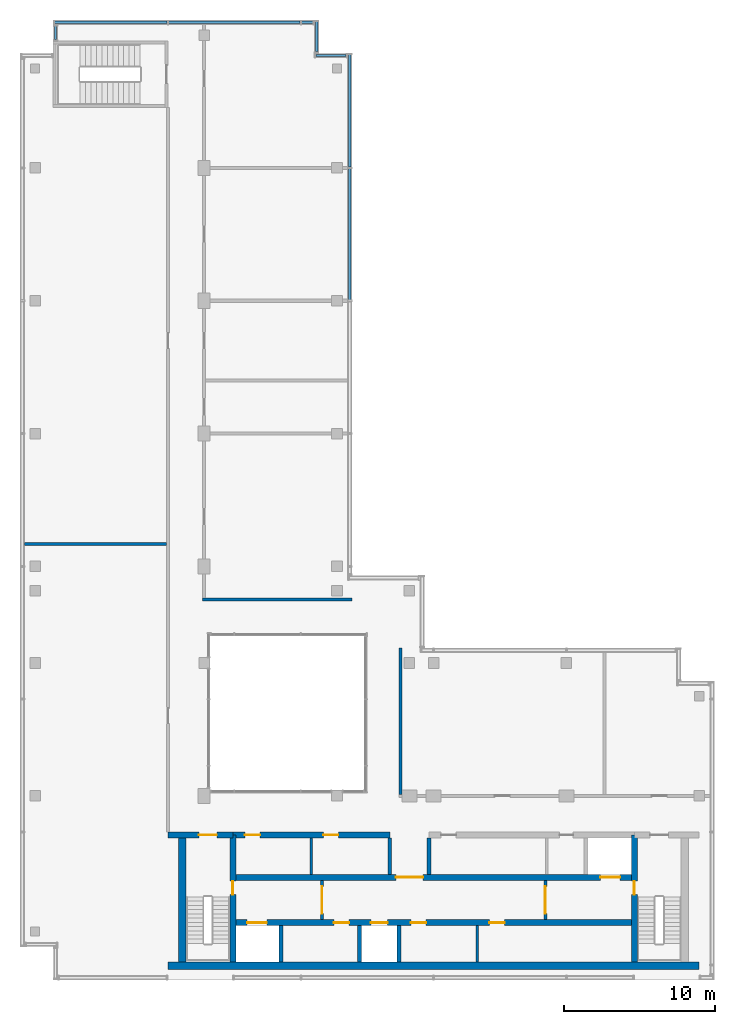
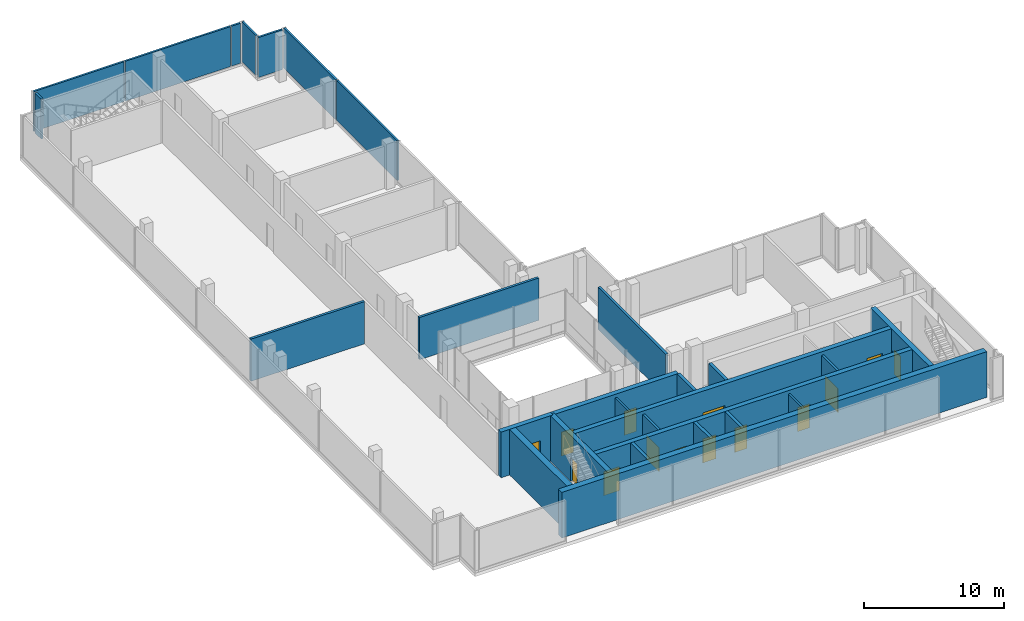
# One storey, part 8 of 10: 20 walls, 14 doors, 8 plates, 14 openings, 5 elements without a shape of their own.
"""IFC4 building model written with IfcOpenShell, lengths in metres."""

from ifc_helpers import new_model, si_unit, direction, frame, frame_2d, origin, origin_2d, place, context, subcontext, project, spatial, rectangle, extrude, source, transform, mapped, material, layer, layer_set, type_object, element, fill, aggregate, save


model = new_model("IFC4")

# Units and contexts
model_context = context("Model", 3, precision=1e-05, world=origin(), true_north=direction((0.0, 1.0)))
body_context = subcontext(model_context, "Body", "Model", "MODEL_VIEW")
ifc_project = project(units=[si_unit("LENGTHUNIT", "METRE"), si_unit("AREAUNIT", "SQUARE_METRE"), si_unit("VOLUMEUNIT", "CUBIC_METRE"), si_unit("PLANEANGLEUNIT", "RADIAN"), si_unit("MASSUNIT", "GRAM", prefix="KILO")], contexts=[model_context])

# Site, building, storey
site_placement = place(None, origin())
site = spatial("IfcSite", under=ifc_project, at=site_placement, CompositionType="ELEMENT")
building_placement = place(site_placement, origin())
building = spatial("IfcBuilding", under=site, at=building_placement, Name="Kemantara Hotel Tower", CompositionType="ELEMENT")
storey_placement = place(building_placement, frame((0.0, 0.0, 318.199951171875)))
storey = spatial("IfcBuildingStorey", under=building, at=storey_placement, Name="L80", CompositionType="ELEMENT", Elevation=318.199951171875)

# Curtain wall, plates
ifc_material_1 = material(Name="Aluminium 6063-T6 bronze anodised", Category="aluminium")
curtain_wall_type = type_object("IfcCurtainWallType", Name="CROWN LOUVRE SCREEN WALL", PredefinedType="USERDEFINED", material=ifc_material_1)
curtain_wall_1_placement = place(storey_placement, origin())
curtain_wall_1 = element("IfcCurtainWall", 1, at=curtain_wall_1_placement, inside=storey, type_object=curtain_wall_type, Name="CW7 L80 CRN-R02-1", ObjectType="CROWN LOUVRE SCREEN WALL", PredefinedType="USERDEFINED")
ifc_material_2 = material(Name="Bronze anodised aluminium louvre blades 3 mm", Category="aluminium")
ifc_layer_1 = layer(ifc_material_2, 0.159912109375)
ifc_layer_set_1 = layer_set([ifc_layer_1], Name="Bronze anodised aluminium louvre blades 3 mm")
plate_type = type_object("IfcPlateType", Name="CROWN LOUVRE SCREEN WALL PANEL", PredefinedType="CURTAIN_PANEL", material=ifc_layer_set_1)
shared_shape_1 = source(origin(), body_context, "Body", "SweptSolid", [
    extrude(rectangle(XDim=0.75, YDim=0.159912109375, at=origin_2d()), origin(), (0.0, 0.0, 1.0), 3.5),
])
plate_1_placement = place(storey_placement, frame((19.02490234375, 63.449951171875, 0.199951171875), z_axis=(0.0, 0.0, 1.0), x_axis=(-1.0, 0.0, 0.0)))
plate_1 = element("IfcPlate", 2, at=plate_1_placement, type_object=plate_type, Name="CW7 louvre panel CRN-R02-1.1", PredefinedType="CURTAIN_PANEL", context=body_context, shape_type="MappedRepresentation", body=[
    mapped(shared_shape_1, transform((0.0, 0.0, 0.0))),
])
shared_shape_2 = source(origin(), body_context, "Body", "SweptSolid", [
    extrude(rectangle(XDim=8.699951171875, YDim=0.159912109375, at=origin_2d()), origin(), (0.0, 0.0, 1.0), 3.5),
])
plate_2_placement = place(storey_placement, frame((14.199951171875, 63.449951171875, 0.199951171875), z_axis=(0.0, 0.0, 1.0), x_axis=(-1.0, 0.0, 0.0)))
plate_2 = element("IfcPlate", 3, at=plate_2_placement, type_object=plate_type, Name="CW7 louvre panel CRN-R02-1.2", PredefinedType="CURTAIN_PANEL", context=body_context, shape_type="MappedRepresentation", body=[
    mapped(shared_shape_2, transform((0.0, 0.0, 0.0))),
])

# Curtain wall, plate
curtain_wall_2_placement = place(storey_placement, origin())
curtain_wall_2 = element("IfcCurtainWall", 4, at=curtain_wall_2_placement, inside=storey, type_object=curtain_wall_type, Name="CW7 L80 CRN-R15-1", ObjectType="CROWN LOUVRE SCREEN WALL", PredefinedType="USERDEFINED")
plate_3_placement = place(storey_placement, frame((21.85009765625, 49.39990234375, 0.199951171875), z_axis=(0.0, 0.0, 1.0), x_axis=(0.0, 1.0, 0.0)))
plate_3 = element("IfcPlate", 5, at=plate_3_placement, type_object=plate_type, Name="CW7 louvre panel CRN-R15-1.4", PredefinedType="CURTAIN_PANEL", context=body_context, shape_type="MappedRepresentation", body=[
    mapped(shared_shape_2, transform((0.0, 0.0, 0.0))),
])

# Plate
shared_shape_3 = source(origin(), body_context, "Body", "SweptSolid", [
    extrude(rectangle(XDim=7.449951171875, YDim=0.159912109375, at=origin_2d()), origin(), (0.0, 0.0, 1.0), 3.5),
])
plate_4_placement = place(storey_placement, frame((6.02490234375, 63.449951171875, 0.199951171875), z_axis=(0.0, 0.0, 1.0), x_axis=(-1.0, 0.0, 0.0)))
plate_4 = element("IfcPlate", 6, at=plate_4_placement, type_object=plate_type, Name="CW7 louvre panel CRN-R02-1.3", PredefinedType="CURTAIN_PANEL", context=body_context, shape_type="MappedRepresentation", body=[
    mapped(shared_shape_3, transform((0.0, 0.0, 0.0))),
])

aggregate(curtain_wall_1, [plate_1, plate_2, plate_4])

plate_5_placement = place(storey_placement, frame((21.85009765625, 57.574951171875, 0.199951171875), z_axis=(0.0, 0.0, 1.0), x_axis=(0.0, 1.0, 0.0)))
plate_5 = element("IfcPlate", 7, at=plate_5_placement, type_object=plate_type, Name="CW7 louvre panel CRN-R15-1.5", PredefinedType="CURTAIN_PANEL", context=body_context, shape_type="MappedRepresentation", body=[
    mapped(shared_shape_3, transform((0.0, 0.0, 0.0))),
])

aggregate(curtain_wall_2, [plate_3, plate_5])

# Curtain wall, plate
curtain_wall_3_placement = place(storey_placement, origin())
curtain_wall_3 = element("IfcCurtainWall", 8, at=curtain_wall_3_placement, inside=storey, type_object=curtain_wall_type, Name="CW7 L80 CRN-R00-1", ObjectType="CROWN LOUVRE SCREEN WALL", PredefinedType="USERDEFINED")
shared_shape_4 = source(origin(), body_context, "Body", "SweptSolid", [
    extrude(rectangle(XDim=2.0, YDim=0.159912109375, at=origin_2d()), origin(), (0.0, 0.0, 1.0), 3.5),
])
plate_6_placement = place(storey_placement, frame((20.60009765625, 61.25, 0.199951171875), z_axis=(0.0, 0.0, 1.0), x_axis=(-1.0, 0.0, 0.0)))
plate_6 = element("IfcPlate", 9, at=plate_6_placement, type_object=plate_type, Name="CW7 louvre panel CRN-R00-1.1", PredefinedType="CURTAIN_PANEL", context=body_context, shape_type="MappedRepresentation", body=[
    mapped(shared_shape_4, transform((0.0, 0.0, 0.0))),
])
aggregate(curtain_wall_3, [plate_6])

curtain_wall_4_placement = place(storey_placement, origin())
curtain_wall_4 = element("IfcCurtainWall", 10, at=curtain_wall_4_placement, inside=storey, type_object=curtain_wall_type, Name="CW7 L80 CRN-R01-1", ObjectType="CROWN LOUVRE SCREEN WALL", PredefinedType="USERDEFINED")
plate_7_placement = place(storey_placement, frame((19.64990234375, 62.5, 0.199951171875), z_axis=(0.0, 0.0, 1.0), x_axis=(0.0, 1.0, 0.0)))
plate_7 = element("IfcPlate", 11, at=plate_7_placement, type_object=plate_type, Name="CW7 louvre panel CRN-R01-1.1", PredefinedType="CURTAIN_PANEL", context=body_context, shape_type="MappedRepresentation", body=[
    mapped(shared_shape_4, transform((0.0, 0.0, 0.0))),
])
aggregate(curtain_wall_4, [plate_7])

curtain_wall_5_placement = place(storey_placement, origin())
curtain_wall_5 = element("IfcCurtainWall", 12, at=curtain_wall_5_placement, inside=storey, type_object=curtain_wall_type, Name="CW7 L80 CRN-R03-1", ObjectType="CROWN LOUVRE SCREEN WALL", PredefinedType="USERDEFINED")
shared_shape_5 = source(origin(), body_context, "Body", "SweptSolid", [
    extrude(rectangle(XDim=0.89990234375, YDim=0.159912109375, at=origin_2d()), origin(), (0.0, 0.0, 1.0), 3.5),
])
plate_8_placement = place(storey_placement, frame((2.35009765625, 62.75, 0.199951171875), z_axis=(0.0, 0.0, 1.0), x_axis=(0.0, -1.0, 0.0)))
plate_8 = element("IfcPlate", 13, at=plate_8_placement, type_object=plate_type, Name="CW7 louvre panel CRN-R03-1.1", PredefinedType="CURTAIN_PANEL", context=body_context, shape_type="MappedRepresentation", body=[
    mapped(shared_shape_5, transform((0.0, 0.0, 0.0))),
])
aggregate(curtain_wall_5, [plate_8])

# Walls
ifc_material_3 = material(Name="Concrete fc 50 MPa", Category="concrete")
ifc_layer_2 = layer(ifc_material_3, 0.25)
ifc_layer_set_2 = layer_set([ifc_layer_2], Name="Concrete fc 50 MPa")
wall_type_1 = type_object("IfcWallType", Name="CORE WALL 250 FC50", PredefinedType="SHEAR", material=ifc_layer_set_2)
for number, where, z_axis, x_axis, name in (
    (14, (17.300048828125, 1.199951171875, 0.0), (0.0, 0.0, 1.0), (0.0, 1.0, 0.0), "CORE WALL CW-DS17.3"),
    (15, (22.5, 1.199951171875, 0.0), (0.0, 0.0, 1.0), (0.0, 1.0, 0.0), "CORE WALL CW-DS22.5"),
    (16, (25.10009765625, 1.199951171875, 0.0), (0.0, 0.0, 1.0), (0.0, 1.0, 0.0), "CORE WALL CW-DS25.1"),
):
    element("IfcWall", number, at=place(storey_placement, frame(where, z_axis=z_axis, x_axis=x_axis)), inside=storey, type_object=wall_type_1, Name=name, PredefinedType="SHEAR", context=body_context, shape_type="SweptSolid", body=[
        extrude(rectangle(XDim=2.400146484375, YDim=0.25, at=frame_2d((1.2001953125, 0.0))), origin(), (0.0, 0.0, 1.0), 4.0),
    ])
for number, where, z_axis, x_axis, name in (
    (17, (24.5, 7.0, 0.0), (0.0, 0.0, 1.0), (0.0, 1.0, 0.0), "CORE WALL CW-DN24.5"),
    (18, (27.10009765625, 7.0, 0.0), (0.0, 0.0, 1.0), (0.0, 1.0, 0.0), "CORE WALL CW-DN27.1"),
):
    element("IfcWall", number, at=place(storey_placement, frame(where, z_axis=z_axis, x_axis=x_axis)), inside=storey, type_object=wall_type_1, Name=name, PredefinedType="SHEAR", context=body_context, shape_type="SweptSolid", body=[
        extrude(rectangle(XDim=2.39990234375, YDim=0.25, at=frame_2d((1.199951171875, 0.0))), origin(), (0.0, 0.0, 1.0), 4.0),
    ])

# Wall, opening, door
ifc_layer_3 = layer(ifc_material_3, 0.39990234375)
ifc_layer_set_3 = layer_set([ifc_layer_3], Name="Concrete fc 50 MPa")
wall_type_2 = type_object("IfcWallType", Name="CORE WALL 400 FC50", PredefinedType="SHEAR", material=ifc_layer_set_3)
wall_1_placement = place(storey_placement, frame((9.800048828125, 9.60009765625, 0.0), z_axis=(0.0, 0.0, 1.0), x_axis=(1.0, 0.0, 0.0)))
wall_1 = element("IfcWall", 19, at=wall_1_placement, inside=storey, type_object=wall_type_2, Name="CORE WALL CW-N1", PredefinedType="SHEAR", context=body_context, shape_type="SweptSolid", body=[
    extrude(rectangle(XDim=4.300048828125, YDim=0.39990234375, at=frame_2d((2.14990234375, 0.0))), origin(), (0.0, 0.0, 1.0), 4.0),
])
opening_1_placement = place(wall_1_placement, frame((2.050048828125, 0.0, 0.0)))
opening_1 = element("IfcOpeningElement", 20, at=opening_1_placement, cuts=wall_1, Name="Opening C45-ST1-C", PredefinedType="OPENING", context=body_context, shape_type="SweptSolid", body=[
    extrude(rectangle(XDim=1.199951171875, YDim=2.10009765625, at=frame_2d((0.60009765625, 1.050048828125))), frame((0.0, 0.2099609375, 0.0), z_axis=(0.0, -1.0, 0.0), x_axis=(1.0, 0.0, 0.0)), (0.0, 0.0, 1.0), 0.419921875),
])
ifc_material_4 = material(Name="Steel fire door", Category="steel")
door_type_1 = type_object("IfcDoorType", Name="Fire door FD90 1200 x 2100", OperationType="NOTDEFINED", PredefinedType="DOOR", material=ifc_material_4)
door_1_placement = place(opening_1_placement, frame((1.199951171875, 0.0, 0.0), z_axis=(0.0, 0.0, 1.0), x_axis=(-1.0, 0.0, 0.0)))
door_1 = element("IfcDoor", 21, at=door_1_placement, inside=storey, type_object=door_type_1, Name="Stair ST1 door to corridor", OperationType="SINGLE_SWING_LEFT", OverallHeight=2.10009765625, OverallWidth=1.199951171875, PredefinedType="DOOR", context=body_context, shape_type="SweptSolid", body=[
    extrude(rectangle(XDim=1.199951171875, YDim=2.10009765625, at=frame_2d((0.60009765625, 1.050048828125))), frame((0.0, 0.02490234375, 0.0), z_axis=(0.0, -1.0, 0.0), x_axis=(1.0, 0.0, 0.0)), (0.0, 0.0, 1.0), 0.050048828125),
])
fill(opening_1, door_1)

# Wall, openings, doors
wall_2_placement = place(storey_placement, frame((14.10009765625, 9.60009765625, 0.0), z_axis=(0.0, 0.0, 1.0), x_axis=(1.0, 0.0, 0.0)))
wall_2 = element("IfcWall", 22, at=wall_2_placement, inside=storey, type_object=wall_type_2, Name="CORE WALL CW-NN1", PredefinedType="SHEAR", context=body_context, shape_type="SweptSolid", body=[
    extrude(rectangle(XDim=10.39990234375, YDim=0.39990234375, at=frame_2d((5.199951171875, 0.0))), origin(), (0.0, 0.0, 1.0), 4.0),
])
opening_2_placement = place(wall_2_placement, frame((0.800048828125, 0.0, 0.0)))
opening_2 = element("IfcOpeningElement", 23, at=opening_2_placement, cuts=wall_2, Name="Opening C45-R-NW1", PredefinedType="OPENING", context=body_context, shape_type="SweptSolid", body=[
    extrude(rectangle(XDim=1.0, YDim=2.10009765625, at=frame_2d((0.5, 1.050048828125))), frame((0.0, 0.2099609375, 0.0), z_axis=(0.0, -1.0, 0.0), x_axis=(1.0, 0.0, 0.0)), (0.0, 0.0, 1.0), 0.419921875),
])
opening_3_placement = place(wall_2_placement, frame((6.0, 0.0, 0.0)))
opening_3 = element("IfcOpeningElement", 24, at=opening_3_placement, cuts=wall_2, Name="Opening C45-R-NW2", PredefinedType="OPENING", context=body_context, shape_type="SweptSolid", body=[
    extrude(rectangle(XDim=1.0, YDim=2.10009765625, at=frame_2d((0.5, 1.050048828125))), frame((0.0, 0.2099609375, 0.0), z_axis=(0.0, -1.0, 0.0), x_axis=(1.0, 0.0, 0.0)), (0.0, 0.0, 1.0), 0.419921875),
])
door_type_2 = type_object("IfcDoorType", Name="Fire door FD60 1000 x 2100", OperationType="NOTDEFINED", PredefinedType="DOOR", material=ifc_material_4)
door_2_placement = place(opening_2_placement, frame((1.0, 0.0, 0.0), z_axis=(0.0, 0.0, 1.0), x_axis=(-1.0, 0.0, 0.0)))
door_2 = element("IfcDoor", 25, at=door_2_placement, inside=storey, type_object=door_type_2, Name="Air Handling Plant Room door", OperationType="SINGLE_SWING_RIGHT", OverallHeight=2.10009765625, OverallWidth=1.0, PredefinedType="DOOR", context=body_context, shape_type="SweptSolid", body=[
    extrude(rectangle(XDim=1.0, YDim=2.10009765625, at=frame_2d((0.5, 1.050048828125))), frame((0.0, 0.02490234375, 0.0), z_axis=(0.0, -1.0, 0.0), x_axis=(1.0, 0.0, 0.0)), (0.0, 0.0, 1.0), 0.050048828125),
])
fill(opening_2, door_2)
door_3_placement = place(opening_3_placement, frame((1.0, 0.0, 0.0), z_axis=(0.0, 0.0, 1.0), x_axis=(-1.0, 0.0, 0.0)))
door_3 = element("IfcDoor", 26, at=door_3_placement, inside=storey, type_object=door_type_2, Name="Chilled Water Plant Room door", OperationType="SINGLE_SWING_LEFT", OverallHeight=2.10009765625, OverallWidth=1.0, PredefinedType="DOOR", context=body_context, shape_type="SweptSolid", body=[
    extrude(rectangle(XDim=1.0, YDim=2.10009765625, at=frame_2d((0.5, 1.050048828125))), frame((0.0, 0.02490234375, 0.0), z_axis=(0.0, -1.0, 0.0), x_axis=(1.0, 0.0, 0.0)), (0.0, 0.0, 1.0), 0.050048828125),
])
fill(opening_3, door_3)

wall_3_placement = place(storey_placement, frame((14.10009765625, 3.800048828125, 0.0), z_axis=(0.0, 0.0, 1.0), x_axis=(1.0, 0.0, 0.0)))
wall_3 = element("IfcWall", 27, at=wall_3_placement, inside=storey, type_object=wall_type_2, Name="CORE WALL CW-L1", PredefinedType="SHEAR", context=body_context, shape_type="SweptSolid", body=[
    extrude(rectangle(XDim=26.599853515625, YDim=0.39990234375, at=frame_2d((13.2998046875, 0.0))), origin(), (0.0, 0.0, 1.0), 4.0),
])
opening_4_placement = place(wall_3_placement, frame((0.949951171875, 0.0, 0.0)))
opening_4 = element("IfcOpeningElement", 28, at=opening_4_placement, cuts=wall_3, Name="Opening C45-LD-FF1", PredefinedType="OPENING", context=body_context, shape_type="SweptSolid", body=[
    extrude(rectangle(XDim=1.300048828125, YDim=2.10009765625, at=frame_2d((0.64990234375, 1.050048828125))), frame((0.0, 0.2099609375, 0.0), z_axis=(0.0, -1.0, 0.0), x_axis=(1.0, 0.0, 0.0)), (0.0, 0.0, 1.0), 0.419921875),
])
opening_5_placement = place(wall_3_placement, frame((9.14990234375, 0.0, 0.0)))
opening_5 = element("IfcOpeningElement", 29, at=opening_5_placement, cuts=wall_3, Name="Opening C45-LD-SV3", PredefinedType="OPENING", context=body_context, shape_type="SweptSolid", body=[
    extrude(rectangle(XDim=1.10009765625, YDim=2.10009765625, at=frame_2d((0.550048828125, 1.050048828125))), frame((0.0, 0.2099609375, 0.0), z_axis=(0.0, -1.0, 0.0), x_axis=(1.0, 0.0, 0.0)), (0.0, 0.0, 1.0), 0.419921875),
])
opening_6_placement = place(wall_3_placement, frame((11.800048828125, 0.0, 0.0)))
opening_6 = element("IfcOpeningElement", 30, at=opening_6_placement, cuts=wall_3, Name="Opening C45-R-SM1", PredefinedType="OPENING", context=body_context, shape_type="SweptSolid", body=[
    extrude(rectangle(XDim=1.0, YDim=2.10009765625, at=frame_2d((0.5, 1.050048828125))), frame((0.0, 0.2099609375, 0.0), z_axis=(0.0, -1.0, 0.0), x_axis=(1.0, 0.0, 0.0)), (0.0, 0.0, 1.0), 0.419921875),
])
opening_7_placement = place(wall_3_placement, frame((17.0, 0.0, 0.0)))
opening_7 = element("IfcOpeningElement", 31, at=opening_7_placement, cuts=wall_3, Name="Opening C45-R-SM2", PredefinedType="OPENING", context=body_context, shape_type="SweptSolid", body=[
    extrude(rectangle(XDim=1.0, YDim=2.10009765625, at=frame_2d((0.5, 1.050048828125))), frame((0.0, 0.2099609375, 0.0), z_axis=(0.0, -1.0, 0.0), x_axis=(1.0, 0.0, 0.0)), (0.0, 0.0, 1.0), 0.419921875),
])
opening_8_placement = place(wall_3_placement, frame((6.699951171875, 0.0, 0.0)))
opening_8 = element("IfcOpeningElement", 32, at=opening_8_placement, cuts=wall_3, Name="Opening C45-R-SW1", PredefinedType="OPENING", context=body_context, shape_type="SweptSolid", body=[
    extrude(rectangle(XDim=1.0, YDim=2.10009765625, at=frame_2d((0.5, 1.050048828125))), frame((0.0, 0.2099609375, 0.0), z_axis=(0.0, -1.0, 0.0), x_axis=(1.0, 0.0, 0.0)), (0.0, 0.0, 1.0), 0.419921875),
])
door_4_placement = place(opening_6_placement, frame((1.0, 0.0, 0.0), z_axis=(0.0, 0.0, 1.0), x_axis=(-1.0, 0.0, 0.0)))
door_4 = element("IfcDoor", 33, at=door_4_placement, inside=storey, type_object=door_type_2, Name="Pump Room door", OperationType="SINGLE_SWING_RIGHT", OverallHeight=2.10009765625, OverallWidth=1.0, PredefinedType="DOOR", context=body_context, shape_type="SweptSolid", body=[
    extrude(rectangle(XDim=1.0, YDim=2.10009765625, at=frame_2d((0.5, 1.050048828125))), frame((0.0, 0.02490234375, 0.0), z_axis=(0.0, -1.0, 0.0), x_axis=(1.0, 0.0, 0.0)), (0.0, 0.0, 1.0), 0.050048828125),
])
fill(opening_6, door_4)
door_5_placement = place(opening_7_placement, frame((1.0, 0.0, 0.0), z_axis=(0.0, 0.0, 1.0), x_axis=(-1.0, 0.0, 0.0)))
door_5 = element("IfcDoor", 34, at=door_5_placement, inside=storey, type_object=door_type_2, Name="Switch Room door", OperationType="SINGLE_SWING_LEFT", OverallHeight=2.10009765625, OverallWidth=1.0, PredefinedType="DOOR", context=body_context, shape_type="SweptSolid", body=[
    extrude(rectangle(XDim=1.0, YDim=2.10009765625, at=frame_2d((0.5, 1.050048828125))), frame((0.0, 0.02490234375, 0.0), z_axis=(0.0, -1.0, 0.0), x_axis=(1.0, 0.0, 0.0)), (0.0, 0.0, 1.0), 0.050048828125),
])
fill(opening_7, door_5)
door_6_placement = place(opening_8_placement, frame((1.0, 0.0, 0.0), z_axis=(0.0, 0.0, 1.0), x_axis=(-1.0, 0.0, 0.0)))
door_6 = element("IfcDoor", 35, at=door_6_placement, inside=storey, type_object=door_type_2, Name="Tank Room door", OperationType="SINGLE_SWING_RIGHT", OverallHeight=2.10009765625, OverallWidth=1.0, PredefinedType="DOOR", context=body_context, shape_type="SweptSolid", body=[
    extrude(rectangle(XDim=1.0, YDim=2.10009765625, at=frame_2d((0.5, 1.050048828125))), frame((0.0, 0.02490234375, 0.0), z_axis=(0.0, -1.0, 0.0), x_axis=(1.0, 0.0, 0.0)), (0.0, 0.0, 1.0), 0.050048828125),
])
fill(opening_8, door_6)
ifc_material_5 = material(Name="Stainless steel lift door", Category="steel")
door_type_3 = type_object("IfcDoorType", Name="Lift landing door 1100 x 2100 FD60", OperationType="DOUBLE_DOOR_SLIDING", PredefinedType="DOOR", material=ifc_material_5)
door_7_placement = place(opening_5_placement, origin())
door_7 = element("IfcDoor", 36, at=door_7_placement, inside=storey, type_object=door_type_3, Name="Lift SV3 landing door", OperationType="DOUBLE_DOOR_SLIDING", OverallHeight=2.10009765625, OverallWidth=1.10009765625, PredefinedType="DOOR", context=body_context, shape_type="SweptSolid", body=[
    extrude(rectangle(XDim=1.10009765625, YDim=2.10009765625, at=frame_2d((0.550048828125, 1.050048828125))), frame((0.0, 0.02490234375, 0.0), z_axis=(0.0, -1.0, 0.0), x_axis=(1.0, 0.0, 0.0)), (0.0, 0.0, 1.0), 0.050048828125),
])
fill(opening_5, door_7)
door_type_4 = type_object("IfcDoorType", Name="Lift landing door 1300 x 2100 FD90", OperationType="DOUBLE_DOOR_SLIDING", PredefinedType="DOOR", material=ifc_material_5)
door_8_placement = place(opening_4_placement, origin())
door_8 = element("IfcDoor", 37, at=door_8_placement, inside=storey, type_object=door_type_4, Name="Lift FF1 landing door", OperationType="DOUBLE_DOOR_SLIDING", OverallHeight=2.10009765625, OverallWidth=1.300048828125, PredefinedType="DOOR", context=body_context, shape_type="SweptSolid", body=[
    extrude(rectangle(XDim=1.300048828125, YDim=2.10009765625, at=frame_2d((0.64990234375, 1.050048828125))), frame((0.0, 0.02490234375, 0.0), z_axis=(0.0, -1.0, 0.0), x_axis=(1.0, 0.0, 0.0)), (0.0, 0.0, 1.0), 0.050048828125),
])
fill(opening_4, door_8)

wall_4_placement = place(storey_placement, frame((14.10009765625, 6.800048828125, 0.0), z_axis=(0.0, 0.0, 1.0), x_axis=(1.0, 0.0, 0.0)))
wall_4 = element("IfcWall", 38, at=wall_4_placement, inside=storey, type_object=wall_type_2, Name="CORE WALL CW-L2", PredefinedType="SHEAR", context=body_context, shape_type="SweptSolid", body=[
    extrude(rectangle(XDim=26.599853515625, YDim=0.39990234375, at=frame_2d((13.2998046875, 0.0))), origin(), (0.0, 0.0, 1.0), 4.0),
])
opening_9_placement = place(wall_4_placement, frame((10.800048828125, 0.0, 0.0)))
opening_9 = element("IfcOpeningElement", 39, at=opening_9_placement, cuts=wall_4, Name="Opening C45-VL", PredefinedType="OPENING", context=body_context, shape_type="SweptSolid", body=[
    extrude(rectangle(XDim=1.800048828125, YDim=2.10009765625, at=frame_2d((0.89990234375, 1.050048828125))), frame((0.0, 0.2099609375, 0.0), z_axis=(0.0, -1.0, 0.0), x_axis=(1.0, 0.0, 0.0)), (0.0, 0.0, 1.0), 0.419921875),
])
opening_10_placement = place(wall_4_placement, frame((24.35009765625, 0.0, 0.0)))
opening_10 = element("IfcOpeningElement", 40, at=opening_10_placement, cuts=wall_4, Name="Opening C45-LD-FF2", PredefinedType="OPENING", context=body_context, shape_type="SweptSolid", body=[
    extrude(rectangle(XDim=1.300048828125, YDim=2.10009765625, at=frame_2d((0.64990234375, 1.050048828125))), frame((0.0, 0.2099609375, 0.0), z_axis=(0.0, -1.0, 0.0), x_axis=(1.0, 0.0, 0.0)), (0.0, 0.0, 1.0), 0.419921875),
])
door_type_5 = type_object("IfcDoorType", Name="Fire door pair FD60 1800 x 2100", OperationType="DOUBLE_DOOR_SINGLE_SWING", PredefinedType="DOOR", material=ifc_material_4)
door_9_placement = place(opening_9_placement, frame((1.800048828125, 0.0, 0.0), z_axis=(0.0, 0.0, 1.0), x_axis=(-1.0, 0.0, 0.0)))
door_9 = element("IfcDoor", 41, at=door_9_placement, inside=storey, type_object=door_type_5, Name="Lift lobby entry door", OperationType="DOUBLE_DOOR_SINGLE_SWING", OverallHeight=2.10009765625, OverallWidth=1.800048828125, PredefinedType="DOOR", context=body_context, shape_type="SweptSolid", body=[
    extrude(rectangle(XDim=1.800048828125, YDim=2.10009765625, at=frame_2d((0.89990234375, 1.050048828125))), frame((0.0, 0.02490234375, 0.0), z_axis=(0.0, -1.0, 0.0), x_axis=(1.0, 0.0, 0.0)), (0.0, 0.0, 1.0), 0.050048828125),
])
fill(opening_9, door_9)
door_10_placement = place(opening_10_placement, origin())
door_10 = element("IfcDoor", 42, at=door_10_placement, inside=storey, type_object=door_type_4, Name="Lift FF2 landing door", OperationType="DOUBLE_DOOR_SLIDING", OverallHeight=2.10009765625, OverallWidth=1.300048828125, PredefinedType="DOOR", context=body_context, shape_type="SweptSolid", body=[
    extrude(rectangle(XDim=1.300048828125, YDim=2.10009765625, at=frame_2d((0.64990234375, 1.050048828125))), frame((0.0, 0.02490234375, 0.0), z_axis=(0.0, -1.0, 0.0), x_axis=(1.0, 0.0, 0.0)), (0.0, 0.0, 1.0), 0.050048828125),
])
fill(opening_10, door_10)

# Wall, opening, door
wall_5_placement = place(storey_placement, frame((14.10009765625, 1.199951171875, 0.0), z_axis=(0.0, 0.0, 1.0), x_axis=(0.0, 1.0, 0.0)))
wall_5 = element("IfcWall", 43, at=wall_5_placement, inside=storey, type_object=wall_type_2, Name="CORE WALL CW-ST1E", PredefinedType="SHEAR", context=body_context, shape_type="SweptSolid", body=[
    extrude(rectangle(XDim=8.400146484375, YDim=0.39990234375, at=frame_2d((4.2001953125, 0.0))), origin(), (0.0, 0.0, 1.0), 4.0),
])
opening_11_placement = place(wall_5_placement, frame((4.449951171875, 0.0, 0.0)))
opening_11 = element("IfcOpeningElement", 44, at=opening_11_placement, cuts=wall_5, Name="Opening C45-ST1-F", PredefinedType="OPENING", context=body_context, shape_type="SweptSolid", body=[
    extrude(rectangle(XDim=0.89990234375, YDim=2.10009765625, at=frame_2d((0.449951171875, 1.050048828125))), frame((0.0, 0.2099609375, 0.0), z_axis=(0.0, -1.0, 0.0), x_axis=(1.0, 0.0, 0.0)), (0.0, 0.0, 1.0), 0.419921875),
])
door_type_6 = type_object("IfcDoorType", Name="Fire door FD90 900 x 2100", OperationType="NOTDEFINED", PredefinedType="DOOR", material=ifc_material_4)
door_11_placement = place(opening_11_placement, origin())
door_11 = element("IfcDoor", 45, at=door_11_placement, inside=storey, type_object=door_type_6, Name="Stair ST1 door to firefighting lobby", OperationType="SINGLE_SWING_RIGHT", OverallHeight=2.10009765625, OverallWidth=0.89990234375, PredefinedType="DOOR", context=body_context, shape_type="SweptSolid", body=[
    extrude(rectangle(XDim=0.89990234375, YDim=2.10009765625, at=frame_2d((0.449951171875, 1.050048828125))), frame((0.0, 0.02490234375, 0.0), z_axis=(0.0, -1.0, 0.0), x_axis=(1.0, 0.0, 0.0)), (0.0, 0.0, 1.0), 0.050048828125),
])
fill(opening_11, door_11)

wall_6_placement = place(storey_placement, frame((40.699951171875, 1.199951171875, 0.0), z_axis=(0.0, 0.0, 1.0), x_axis=(0.0, 1.0, 0.0)))
wall_6 = element("IfcWall", 46, at=wall_6_placement, inside=storey, type_object=wall_type_2, Name="CORE WALL CW-ST2W", PredefinedType="SHEAR", context=body_context, shape_type="SweptSolid", body=[
    extrude(rectangle(XDim=8.400146484375, YDim=0.39990234375, at=frame_2d((4.2001953125, 0.0))), origin(), (0.0, 0.0, 1.0), 4.0),
])
opening_12_placement = place(wall_6_placement, frame((4.449951171875, 0.0, 0.0)))
opening_12 = element("IfcOpeningElement", 47, at=opening_12_placement, cuts=wall_6, Name="Opening C45-ST2-F", PredefinedType="OPENING", context=body_context, shape_type="SweptSolid", body=[
    extrude(rectangle(XDim=0.89990234375, YDim=2.10009765625, at=frame_2d((0.449951171875, 1.050048828125))), frame((0.0, 0.2099609375, 0.0), z_axis=(0.0, -1.0, 0.0), x_axis=(1.0, 0.0, 0.0)), (0.0, 0.0, 1.0), 0.419921875),
])
door_12_placement = place(opening_12_placement, frame((0.89990234375, 0.0, 0.0), z_axis=(0.0, 0.0, 1.0), x_axis=(-1.0, 0.0, 0.0)))
door_12 = element("IfcDoor", 48, at=door_12_placement, inside=storey, type_object=door_type_6, Name="Stair ST2 door to firefighting lobby", OperationType="SINGLE_SWING_LEFT", OverallHeight=2.10009765625, OverallWidth=0.89990234375, PredefinedType="DOOR", context=body_context, shape_type="SweptSolid", body=[
    extrude(rectangle(XDim=0.89990234375, YDim=2.10009765625, at=frame_2d((0.449951171875, 1.050048828125))), frame((0.0, 0.02490234375, 0.0), z_axis=(0.0, -1.0, 0.0), x_axis=(1.0, 0.0, 0.0)), (0.0, 0.0, 1.0), 0.050048828125),
])
fill(opening_12, door_12)

# Walls
ifc_layer_4 = layer(ifc_material_3, 0.5)
ifc_layer_set_4 = layer_set([ifc_layer_4], Name="Concrete fc 50 MPa")
wall_type_3 = type_object("IfcWallType", Name="CORE WALL 500 FC50", PredefinedType="SHEAR", material=ifc_layer_set_4)
wall_7_placement = place(storey_placement, frame((9.800048828125, 0.949951171875, 0.0), z_axis=(0.0, 0.0, 1.0), x_axis=(1.0, 0.0, 0.0)))
element("IfcWall", 49, at=wall_7_placement, inside=storey, type_object=wall_type_3, Name="CORE WALL CW-S", PredefinedType="SHEAR", context=body_context, shape_type="SweptSolid", body=[
    extrude(rectangle(XDim=35.199951171875, YDim=0.5, at=frame_2d((17.60009765625, 0.0))), origin(), (0.0, 0.0, 1.0), 4.0),
])
wall_8_placement = place(storey_placement, frame((10.75, 1.199951171875, 0.0), z_axis=(0.0, 0.0, 1.0), x_axis=(0.0, 1.0, 0.0)))
element("IfcWall", 50, at=wall_8_placement, inside=storey, type_object=wall_type_3, Name="CORE WALL CW-W", PredefinedType="SHEAR", context=body_context, shape_type="SweptSolid", body=[
    extrude(rectangle(XDim=8.60009765625, YDim=0.5, at=frame_2d((4.300048828125, 0.0))), origin(), (0.0, 0.0, 1.0), 4.0),
])
ifc_material_6 = material(Name="Clay brick masonry", Category="masonry")
ifc_layer_5 = layer(ifc_material_6, 0.199951171875)
ifc_layer_set_5 = layer_set([ifc_layer_5], Name="Clay brick masonry")
wall_type_4 = type_object("IfcWallType", Name="FIRE-RATED CLAY BRICK WALL 200 EI 120", PredefinedType="PARTITIONING", material=ifc_layer_set_5)
wall_9_placement = place(storey_placement, frame((0.300048828125, 28.89990234375, 0.0), z_axis=(0.0, 0.0, 1.0), x_axis=(1.0, 0.0, 0.0)))
element("IfcWall", 51, at=wall_9_placement, inside=storey, type_object=wall_type_4, Name="FIRE WALL", PredefinedType="PARTITIONING", context=body_context, shape_type="SweptSolid", body=[
    extrude(rectangle(XDim=9.39990234375, YDim=0.199951171875, at=frame_2d((4.699951171875, 0.0))), origin(), (0.0, 0.0, 1.0), 3.699951171875),
])
ifc_material_7 = material(Name="Fire-rated gypsum board partition")
ifc_layer_6 = layer(ifc_material_7, 0.199951171875)
ifc_layer_set_6 = layer_set([ifc_layer_6], Name="Fire-rated gypsum board partition")
wall_type_5 = type_object("IfcWallType", Name="FIRE-RATED GYPSUM PARTITION 200 EI 60", PredefinedType="PARTITIONING", material=ifc_layer_set_6)
wall_10_placement = place(storey_placement, frame((12.10009765625, 25.199951171875, 0.0), z_axis=(0.0, 0.0, 1.0), x_axis=(1.0, 0.0, 0.0)))
element("IfcWall", 52, at=wall_10_placement, inside=storey, type_object=wall_type_5, Name="FIRE-RATED PARTITION", PredefinedType="PARTITIONING", context=body_context, shape_type="SweptSolid", body=[
    extrude(rectangle(XDim=9.89990234375, YDim=0.199951171875, at=frame_2d((4.949951171875, 0.0))), origin(), (0.0, 0.0, 1.0), 3.699951171875),
])
wall_11_placement = place(storey_placement, frame((25.199951171875, 12.300048828125, 0.0), z_axis=(0.0, 0.0, 1.0), x_axis=(0.0, 1.0, 0.0)))
element("IfcWall", 53, at=wall_11_placement, inside=storey, type_object=wall_type_5, Name="FIRE-RATED PARTITION", PredefinedType="PARTITIONING", context=body_context, shape_type="SweptSolid", body=[
    extrude(rectangle(XDim=9.699951171875, YDim=0.199951171875, at=frame_2d((4.85009765625, 0.0))), origin(), (0.0, 0.0, 1.0), 3.699951171875),
])
ifc_material_8 = material(Name="Gypsum board partition")
ifc_layer_7 = layer(ifc_material_8, 0.14990234375)
ifc_layer_set_7 = layer_set([ifc_layer_7], Name="Gypsum board partition")
wall_type_6 = type_object("IfcWallType", Name="Gypsum board partition 150 mm", PredefinedType="PARTITIONING", material=ifc_layer_set_7)
wall_12_placement = place(storey_placement, frame((19.300048828125, 7.0, 0.0), z_axis=(0.0, 0.0, 1.0), x_axis=(0.0, 1.0, 0.0)))
element("IfcWall", 54, at=wall_12_placement, inside=storey, type_object=wall_type_6, Name="Core room partition", PredefinedType="PARTITIONING", context=body_context, shape_type="SweptSolid", body=[
    extrude(rectangle(XDim=2.39990234375, YDim=0.14990234375, at=frame_2d((1.199951171875, 0.0))), origin(), (0.0, 0.0, 1.0), 3.699951171875),
])
wall_13_placement = place(storey_placement, frame((30.300048828125, 1.199951171875, 0.0), z_axis=(0.0, 0.0, 1.0), x_axis=(0.0, 1.0, 0.0)))
element("IfcWall", 55, at=wall_13_placement, inside=storey, type_object=wall_type_6, Name="Core room partition", PredefinedType="PARTITIONING", context=body_context, shape_type="SweptSolid", body=[
    extrude(rectangle(XDim=2.400146484375, YDim=0.14990234375, at=frame_2d((1.2001953125, 0.0))), origin(), (0.0, 0.0, 1.0), 3.699951171875),
])

# Wall, opening, door
ifc_material_9 = material(Name="Gypsum board shaft wall")
ifc_layer_8 = layer(ifc_material_9, 0.199951171875)
ifc_layer_set_8 = layer_set([ifc_layer_8], Name="Gypsum board shaft wall")
wall_type_7 = type_object("IfcWallType", Name="Gypsum board shaft wall 200 mm", PredefinedType="PARTITIONING", material=ifc_layer_set_8)
wall_14_placement = place(storey_placement, frame((20.0, 4.0, 0.0), z_axis=(0.0, 0.0, 1.0), x_axis=(0.0, 1.0, 0.0)))
wall_14 = element("IfcWall", 56, at=wall_14_placement, inside=storey, type_object=wall_type_7, Name="Firefighting lobby partition west", PredefinedType="PARTITIONING", context=body_context, shape_type="SweptSolid", body=[
    extrude(rectangle(XDim=2.60009765625, YDim=0.199951171875, at=frame_2d((1.300048828125, 0.0))), origin(), (0.0, 0.0, 1.0), 3.699951171875),
])
opening_13_placement = place(wall_14_placement, frame((0.39990234375, 0.0, 0.0)))
opening_13 = element("IfcOpeningElement", 57, at=opening_13_placement, cuts=wall_14, Name="Opening C45-FFW", PredefinedType="OPENING", context=body_context, shape_type="SweptSolid", body=[
    extrude(rectangle(XDim=1.800048828125, YDim=2.10009765625, at=frame_2d((0.89990234375, 1.050048828125))), frame((0.0, 0.10986328125, 0.0), z_axis=(0.0, -1.0, 0.0), x_axis=(1.0, 0.0, 0.0)), (0.0, 0.0, 1.0), 0.219970703125),
])
door_13_placement = place(opening_13_placement, origin())
door_13 = element("IfcDoor", 58, at=door_13_placement, inside=storey, type_object=door_type_5, Name="Firefighting lobby door west", OperationType="DOUBLE_DOOR_SINGLE_SWING", OverallHeight=2.10009765625, OverallWidth=1.800048828125, PredefinedType="DOOR", context=body_context, shape_type="SweptSolid", body=[
    extrude(rectangle(XDim=1.800048828125, YDim=2.10009765625, at=frame_2d((0.89990234375, 1.050048828125))), frame((0.0, 0.02490234375, 0.0), z_axis=(0.0, -1.0, 0.0), x_axis=(1.0, 0.0, 0.0)), (0.0, 0.0, 1.0), 0.050048828125),
])
fill(opening_13, door_13)

wall_15_placement = place(storey_placement, frame((34.800048828125, 4.0, 0.0), z_axis=(0.0, 0.0, 1.0), x_axis=(0.0, 1.0, 0.0)))
wall_15 = element("IfcWall", 59, at=wall_15_placement, inside=storey, type_object=wall_type_7, Name="Firefighting lobby partition east", PredefinedType="PARTITIONING", context=body_context, shape_type="SweptSolid", body=[
    extrude(rectangle(XDim=2.60009765625, YDim=0.199951171875, at=frame_2d((1.300048828125, 0.0))), origin(), (0.0, 0.0, 1.0), 3.699951171875),
])
opening_14_placement = place(wall_15_placement, frame((0.39990234375, 0.0, 0.0)))
opening_14 = element("IfcOpeningElement", 60, at=opening_14_placement, cuts=wall_15, Name="Opening C45-FFE", PredefinedType="OPENING", context=body_context, shape_type="SweptSolid", body=[
    extrude(rectangle(XDim=1.800048828125, YDim=2.10009765625, at=frame_2d((0.89990234375, 1.050048828125))), frame((0.0, 0.10986328125, 0.0), z_axis=(0.0, -1.0, 0.0), x_axis=(1.0, 0.0, 0.0)), (0.0, 0.0, 1.0), 0.219970703125),
])
door_14_placement = place(opening_14_placement, frame((1.800048828125, 0.0, 0.0), z_axis=(0.0, 0.0, 1.0), x_axis=(-1.0, 0.0, 0.0)))
door_14 = element("IfcDoor", 61, at=door_14_placement, inside=storey, type_object=door_type_5, Name="Firefighting lobby door east", OperationType="DOUBLE_DOOR_SINGLE_SWING", OverallHeight=2.10009765625, OverallWidth=1.800048828125, PredefinedType="DOOR", context=body_context, shape_type="SweptSolid", body=[
    extrude(rectangle(XDim=1.800048828125, YDim=2.10009765625, at=frame_2d((0.89990234375, 1.050048828125))), frame((0.0, 0.02490234375, 0.0), z_axis=(0.0, -1.0, 0.0), x_axis=(1.0, 0.0, 0.0)), (0.0, 0.0, 1.0), 0.050048828125),
])
fill(opening_14, door_14)

save(model, "model.ifc")
